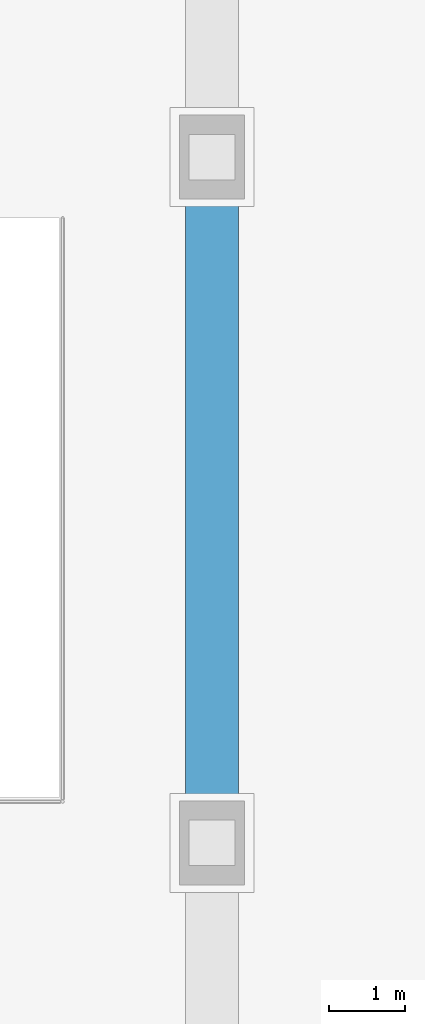
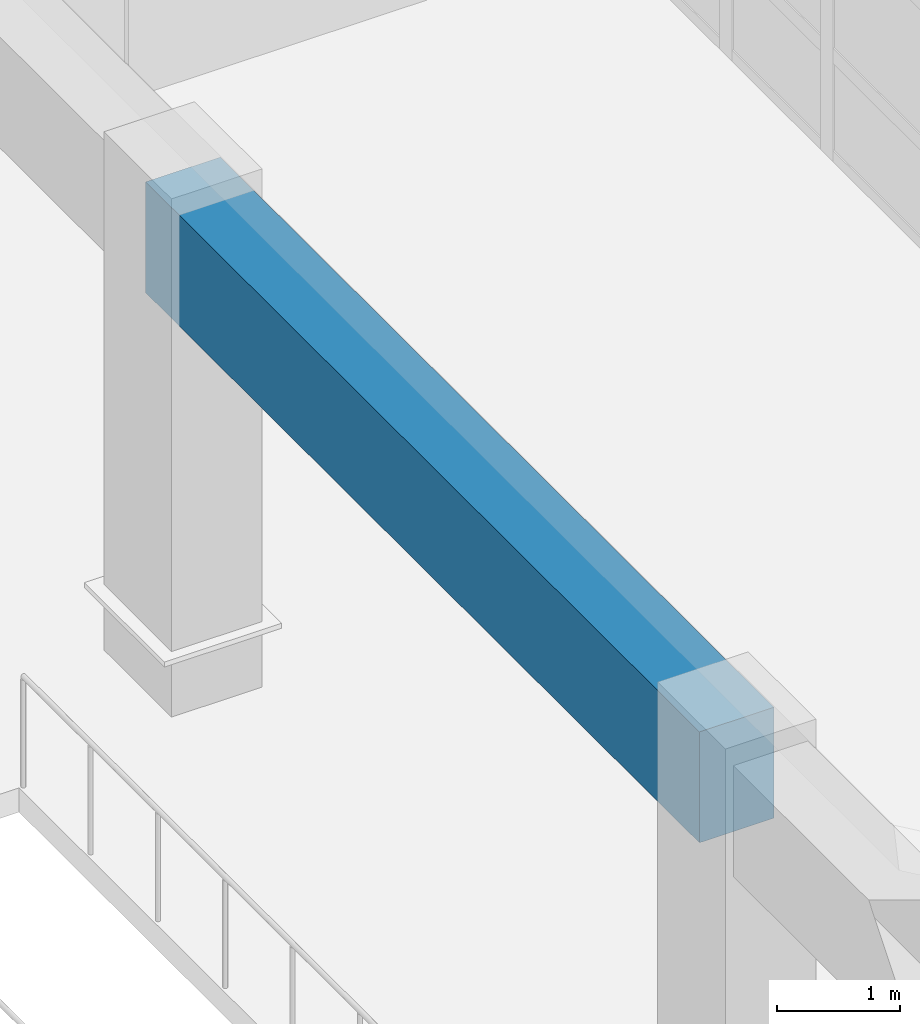
# One storey, part 24 of 80: 1 beam.
"""IFC4 building model written with IfcOpenShell, lengths in metres."""

from ifc_helpers import new_model, si_unit, direction, frame, origin, origin_2d, place, context, subcontext, project, spatial, rectangle, extrude, material, material_profile, profile_set, type_object, element, save


model = new_model("IFC4")

# Units and contexts
model_context = context("Model", 3, precision=1e-05, world=origin(), true_north=direction((0.0, 1.0)))
body_context = subcontext(model_context, "Body", "Model", "MODEL_VIEW")
ifc_project = project(units=[si_unit("LENGTHUNIT", "METRE"), si_unit("AREAUNIT", "SQUARE_METRE"), si_unit("VOLUMEUNIT", "CUBIC_METRE"), si_unit("PLANEANGLEUNIT", "RADIAN"), si_unit("MASSUNIT", "GRAM", prefix="KILO")], contexts=[model_context])

# Site, building, storey
site_placement = place(None, origin())
site = spatial("IfcSite", under=ifc_project, at=site_placement, CompositionType="ELEMENT")
building_placement = place(site_placement, origin())
building = spatial("IfcBuilding", under=site, at=building_placement, Name="Ornek Quay Market", CompositionType="ELEMENT")
storey_placement = place(building_placement, frame((0.0, 0.0, 8.39990234375)))
storey = spatial("IfcBuildingStorey", under=building, at=storey_placement, Name="L02", CompositionType="ELEMENT", Elevation=8.39990234375)

# Beam
ifc_material = material(Name="Concrete C45/55", Category="concrete")
ifc_material_profile = material_profile(ifc_material, rectangle(XDim=0.699951171875, YDim=1.10009765625, at=origin_2d()), Name="RC 700x1100", Category="concrete")
ifc_profile_set = profile_set([ifc_material_profile], Name="Concrete C45/55")
beam_type = type_object("IfcBeamType", Name="BM-ARCH-TIE-700x1100", PredefinedType="BEAM", material=ifc_profile_set)
beam_placement = place(storey_placement, frame((117.0, 65.0, 4.400146484375), z_axis=(0.0, 1.0, 0.0), x_axis=(-1.0, 0.0, 0.0)))
element("IfcBeam", 1, at=beam_placement, inside=storey, type_object=beam_type, Name="Arch springing edge tie beam H-E", PredefinedType="BEAM", context=body_context, shape_type="SweptSolid", body=[
    extrude(rectangle(XDim=0.699951171875, YDim=1.10009765625, at=origin_2d()), origin(), (0.0, 0.0, 1.0), 9.0),
])

save(model, "model.ifc")
